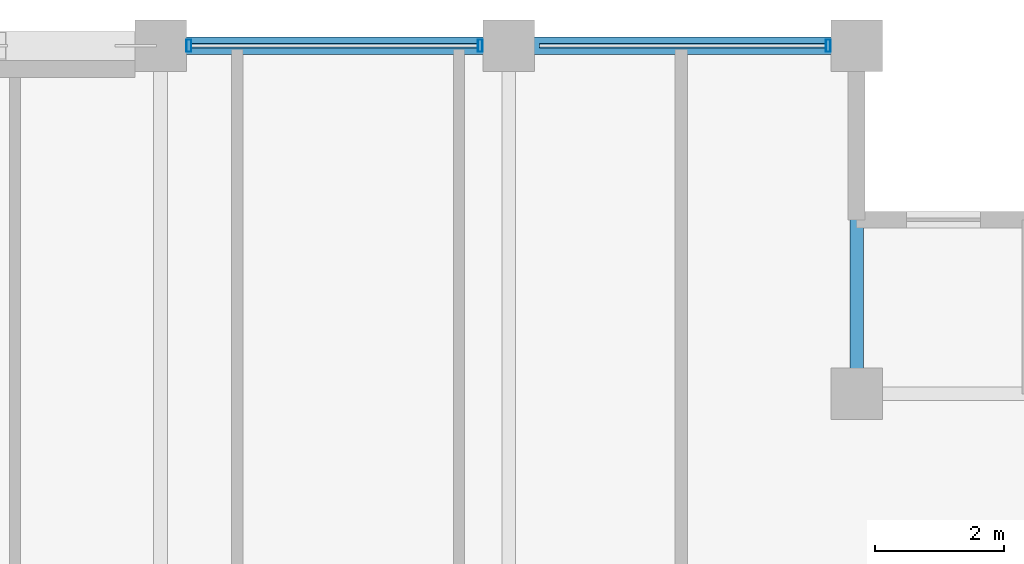
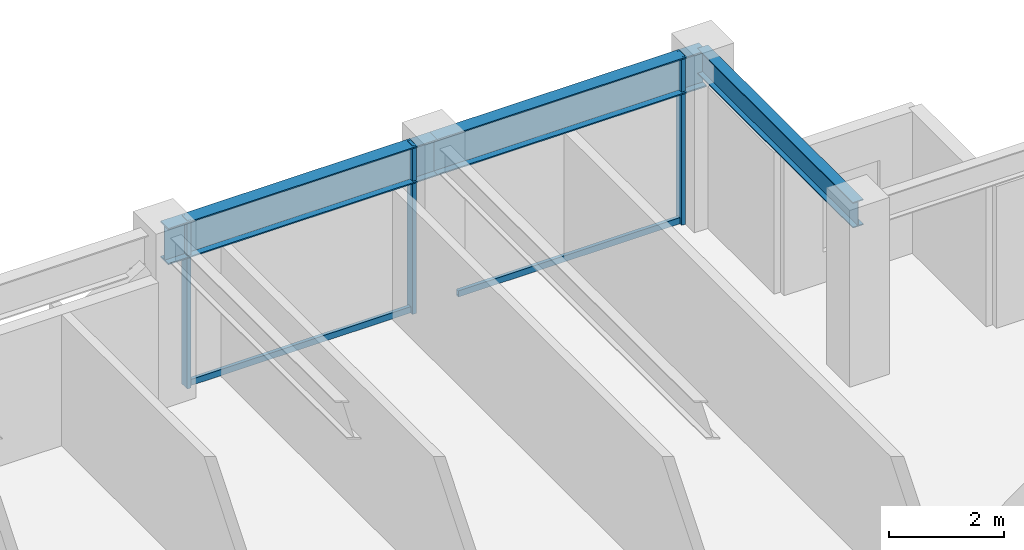
# One storey, part 19 of 28: 5 members, 3 beams, 1 element without a shape of its own.
"""IFC4 building model written with IfcOpenShell, lengths in metres."""

from ifc_helpers import new_model, si_unit, direction, frame, origin, origin_2d, place, context, subcontext, project, spatial, hollow_rectangle, i_section, extrude, material, layer, layer_set, material_profile, profile_set, type_object, element, aggregate, save


model = new_model("IFC4")

# Units and contexts
model_context = context("Model", 3, precision=1e-05, world=origin(), true_north=direction((0.0, 1.0)))
body_context = subcontext(model_context, "Body", "Model", "MODEL_VIEW")
ifc_project = project(units=[si_unit("LENGTHUNIT", "METRE"), si_unit("AREAUNIT", "SQUARE_METRE"), si_unit("VOLUMEUNIT", "CUBIC_METRE"), si_unit("PLANEANGLEUNIT", "RADIAN"), si_unit("MASSUNIT", "GRAM", prefix="KILO")], contexts=[model_context])

# Site, building, storey
site_placement = place(None, origin())
site = spatial("IfcSite", under=ifc_project, at=site_placement, CompositionType="ELEMENT")
building_placement = place(site_placement, origin())
building = spatial("IfcBuilding", under=site, at=building_placement, Name="Surkhivell Harbour Commons", CompositionType="ELEMENT")
storey_placement = place(building_placement, frame((0.0, 0.0, 242.25)))
storey = spatial("IfcBuildingStorey", under=building, at=storey_placement, Name="L63", CompositionType="ELEMENT", Elevation=242.25)

# Beams
ifc_material_1 = material(Name="Steel S355", Category="steel")
ifc_material_profile_1 = material_profile(ifc_material_1, i_section(OverallWidth=0.2119140625, OverallDepth=0.5439453125, WebThickness=0.0126953125, FlangeThickness=0.021240234375, at=origin_2d()), Name="UB533x210x122")
ifc_profile_set_1 = profile_set([ifc_material_profile_1], Name="Steel S355")
beam_type_1 = type_object("IfcBeamType", Name="BM-GRD-533A", PredefinedType="BEAM", material=ifc_profile_set_1)
beam_1_placement = place(storey_placement, frame((16.199951171875, 20.5, 3.298095703125), z_axis=(0.0, 1.0, 0.0), x_axis=(-1.0, 0.0, 0.0)))
element("IfcBeam", 1, at=beam_1_placement, inside=storey, type_object=beam_type_1, Name="L63 Floor Girder (16.2,20.5)", PredefinedType="BEAM", context=body_context, shape_type="SweptSolid", body=[
    extrude(i_section(OverallWidth=0.2119140625, OverallDepth=0.5439453125, WebThickness=0.0126953125, FlangeThickness=0.021240234375, at=origin_2d()), origin(), (0.0, 0.0, 1.0), 5.39990234375),
])
ifc_material_profile_2 = material_profile(ifc_material_1, i_section(OverallWidth=0.26806640625, OverallDepth=0.77001953125, WebThickness=0.015625, FlangeThickness=0.025390625, at=origin_2d()), Name="UB762x267x197")
ifc_profile_set_2 = profile_set([ifc_material_profile_2], Name="Steel S355")
beam_type_2 = type_object("IfcBeamType", Name="BM-SPN-762", PredefinedType="SPANDREL", material=ifc_profile_set_2)
beam_2_placement = place(storey_placement, frame((5.39990234375, 25.89990234375, 3.18505859375), z_axis=(1.0, 0.0, 0.0), x_axis=(0.0, 1.0, 0.0)))
element("IfcBeam", 2, at=beam_2_placement, inside=storey, type_object=beam_type_2, Name="L63 Tube Spandrel (5.4,25.9)", PredefinedType="SPANDREL", context=body_context, shape_type="SweptSolid", body=[
    extrude(i_section(OverallWidth=0.26806640625, OverallDepth=0.77001953125, WebThickness=0.015625, FlangeThickness=0.025390625, at=origin_2d()), origin(), (0.0, 0.0, 1.0), 5.400146484375),
])
beam_3_placement = place(storey_placement, frame((10.800048828125, 25.89990234375, 3.18505859375), z_axis=(1.0, 0.0, 0.0), x_axis=(0.0, 1.0, 0.0)))
element("IfcBeam", 3, at=beam_3_placement, inside=storey, type_object=beam_type_2, Name="L63 Tube Spandrel (10.8,25.9)", PredefinedType="SPANDREL", context=body_context, shape_type="SweptSolid", body=[
    extrude(i_section(OverallWidth=0.26806640625, OverallDepth=0.77001953125, WebThickness=0.015625, FlangeThickness=0.025390625, at=origin_2d()), origin(), (0.0, 0.0, 1.0), 5.39990234375),
])

# Curtain wall, members
ifc_material_2 = material(Name="Anodised pale-metal aluminium and insulated glazing", Category="aluminium")
ifc_layer = layer(ifc_material_2, 0.18994140625)
ifc_layer_set = layer_set([ifc_layer], Name="Anodised pale-metal aluminium and insulated glazing")
curtain_wall_type = type_object("IfcCurtainWallType", Name="CW-SYS-Z3", PredefinedType="NOTDEFINED", material=ifc_layer_set)
curtain_wall_placement = place(storey_placement, origin())
curtain_wall = element("IfcCurtainWall", 4, at=curtain_wall_placement, inside=storey, type_object=curtain_wall_type, Name="L63 Curtain Wall CW-L63-E07S1", PredefinedType="NOTDEFINED")
ifc_material_3 = material(Name="Anodised pale-metal aluminium alloy 6063-T6", Category="aluminium")
ifc_material_profile_3 = material_profile(ifc_material_3, hollow_rectangle(XDim=0.074951171875, YDim=0.18994140625, WallThickness=0.00390625, at=origin_2d()), Name="ALU-MULL-75x190")
ifc_profile_set_3 = profile_set([ifc_material_profile_3], Name="Anodised pale-metal aluminium alloy 6063-T6")
member_type_1 = type_object("IfcMemberType", Name="CWM-190", PredefinedType="MULLION", material=ifc_profile_set_3)
member_1_placement = place(storey_placement, frame((15.760498046875, 25.89990234375, 0.0), z_axis=(0.0, 0.0, 1.0), x_axis=(-1.0, 0.0, 0.0)))
member_1 = element("IfcMember", 5, at=member_1_placement, type_object=member_type_1, Name="CW-Z3 mullion 1", PredefinedType="MULLION", context=body_context, shape_type="SweptSolid", body=[
    extrude(hollow_rectangle(XDim=0.074951171875, YDim=0.18994140625, WallThickness=0.00390625, at=origin_2d()), origin(), (0.0, 0.0, 1.0), 3.570068359375),
])
member_2_placement = place(storey_placement, frame((10.360595703125, 25.89990234375, 0.0), z_axis=(0.0, 0.0, 1.0), x_axis=(-1.0, 0.0, 0.0)))
member_2 = element("IfcMember", 6, at=member_2_placement, type_object=member_type_1, Name="CW-Z3 mullion 2", PredefinedType="MULLION", context=body_context, shape_type="SweptSolid", body=[
    extrude(hollow_rectangle(XDim=0.074951171875, YDim=0.18994140625, WallThickness=0.00390625, at=origin_2d()), origin(), (0.0, 0.0, 1.0), 3.570068359375),
])
member_3_placement = place(storey_placement, frame((5.839599609375, 25.89990234375, 0.0), z_axis=(0.0, 0.0, 1.0), x_axis=(-1.0, 0.0, 0.0)))
member_3 = element("IfcMember", 7, at=member_3_placement, type_object=member_type_1, Name="CW-Z3 mullion 3", PredefinedType="MULLION", context=body_context, shape_type="SweptSolid", body=[
    extrude(hollow_rectangle(XDim=0.074951171875, YDim=0.18994140625, WallThickness=0.00390625, at=origin_2d()), origin(), (0.0, 0.0, 1.0), 3.570068359375),
])
ifc_material_4 = material(Name="Champagne anodised aluminium alloy 6063-T6", Category="aluminium")
ifc_material_profile_4 = material_profile(ifc_material_4, hollow_rectangle(XDim=0.070068359375, YDim=0.1298828125, WallThickness=0.00341796875, at=origin_2d()), Name="ALU-TRAN-70x130")
ifc_profile_set_4 = profile_set([ifc_material_profile_4], Name="Champagne anodised aluminium alloy 6063-T6")
member_type_2 = type_object("IfcMemberType", Name="CWT-130", PredefinedType="USERDEFINED", material=ifc_profile_set_4)
member_4_placement = place(storey_placement, frame((15.722900390625, 25.89990234375, 0.06494140625), z_axis=(-1.0, 0.0, 0.0), x_axis=(0.0, -1.0, 0.0)))
member_4 = element("IfcMember", 8, at=member_4_placement, type_object=member_type_2, Name="CW-Z3 transom 1.1", ObjectType="TRANSOM", PredefinedType="USERDEFINED", context=body_context, shape_type="SweptSolid", body=[
    extrude(hollow_rectangle(XDim=0.070068359375, YDim=0.1298828125, WallThickness=0.00341796875, at=origin_2d()), origin(), (0.0, 0.0, 1.0), 4.44580078125),
])
member_5_placement = place(storey_placement, frame((10.322998046875, 25.89990234375, 0.06494140625), z_axis=(-1.0, 0.0, 0.0), x_axis=(0.0, -1.0, 0.0)))
member_5 = element("IfcMember", 9, at=member_5_placement, type_object=member_type_2, Name="CW-Z3 transom 2.1", ObjectType="TRANSOM", PredefinedType="USERDEFINED", context=body_context, shape_type="SweptSolid", body=[
    extrude(hollow_rectangle(XDim=0.070068359375, YDim=0.1298828125, WallThickness=0.00341796875, at=origin_2d()), origin(), (0.0, 0.0, 1.0), 4.446044921875),
])
aggregate(curtain_wall, [member_1, member_4, member_2, member_3, member_5])

save(model, "model.ifc")
